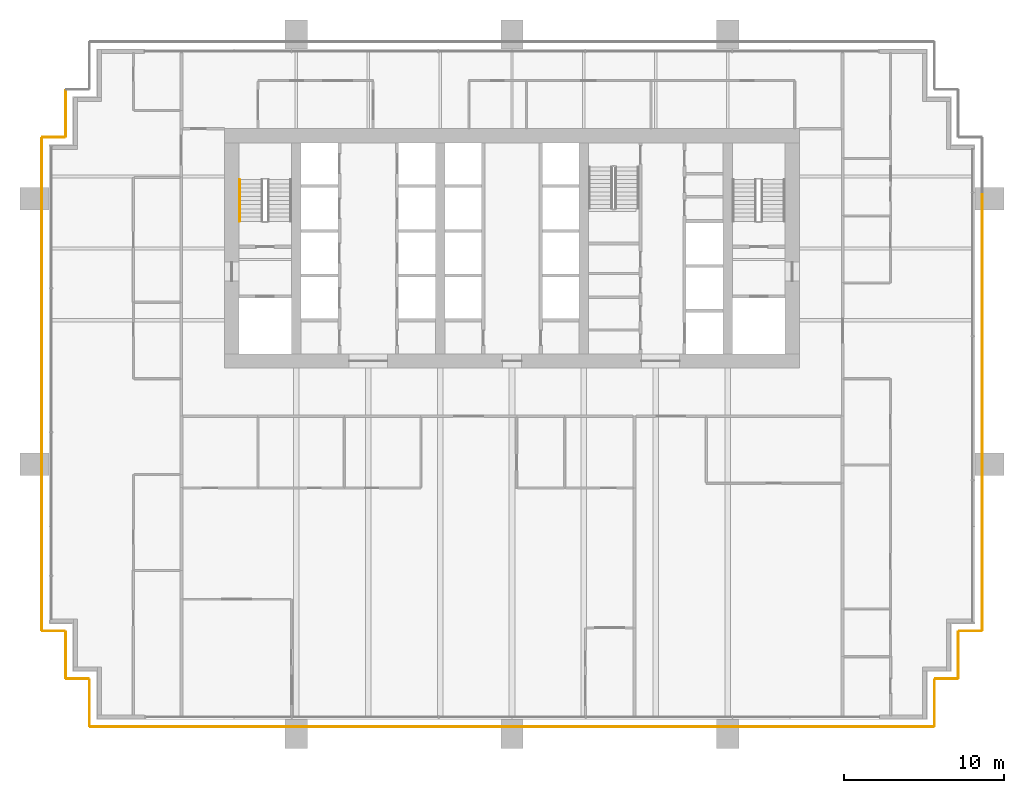
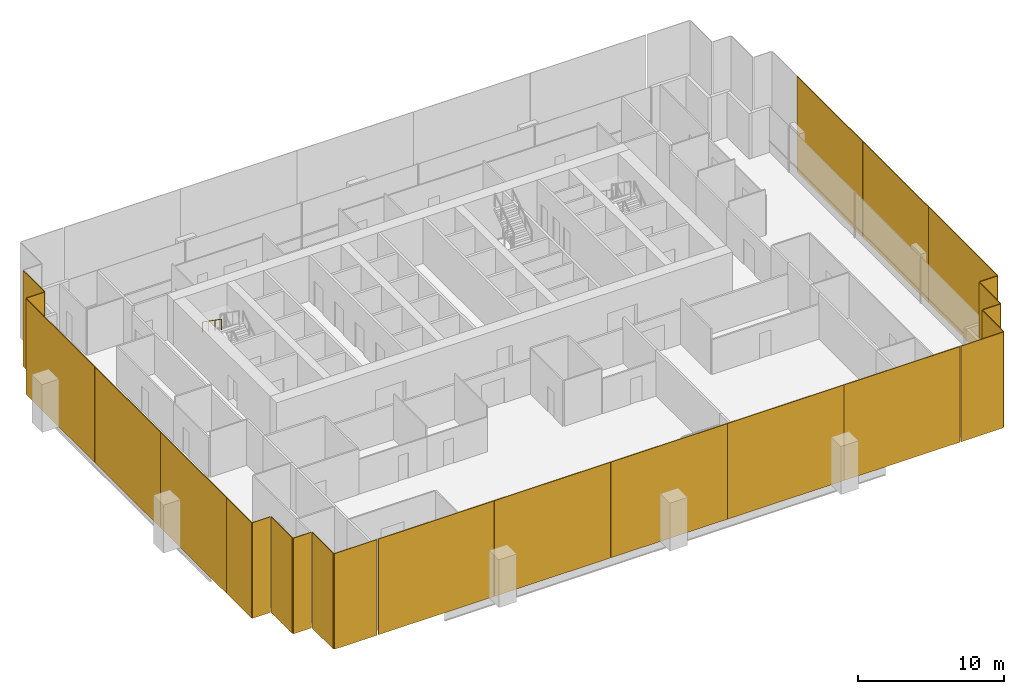
# One storey, part 15 of 17: 24 coverings, 1 railing.
"""IFC4 building model written with IfcOpenShell, lengths in metres."""

from ifc_helpers import new_model, si_unit, direction, frame, origin, origin_2d, place, context, subcontext, project, spatial, rectangle, extrude, material, layer, layer_set, type_object, element, save


model = new_model("IFC4")

# Units and contexts
model_context = context("Model", 3, precision=1e-05, world=origin(), true_north=direction((0.0, 1.0)))
body_context = subcontext(model_context, "Body", "Model", "MODEL_VIEW")
ifc_project = project(units=[si_unit("LENGTHUNIT", "METRE"), si_unit("AREAUNIT", "SQUARE_METRE"), si_unit("VOLUMEUNIT", "CUBIC_METRE"), si_unit("PLANEANGLEUNIT", "RADIAN"), si_unit("MASSUNIT", "GRAM", prefix="KILO")], contexts=[model_context])

# Site, building, storey
site_placement = place(None, origin())
site = spatial("IfcSite", under=ifc_project, at=site_placement, CompositionType="ELEMENT")
building_placement = place(site_placement, origin())
building = spatial("IfcBuilding", under=site, at=building_placement, Name="Rattan Terrace Tower", CompositionType="ELEMENT")
storey_placement = place(building_placement, frame((0.0, 0.0, 126.10009765625)))
storey = spatial("IfcBuildingStorey", under=building, at=storey_placement, Name="L28", CompositionType="ELEMENT", Elevation=126.10009765625)

# Railing
ifc_material_1 = material(Name="Powder-coated steel handrail", Category="steel")
railing_type = type_object("IfcRailingType", Name="Core stair handrail", PredefinedType="HANDRAIL", material=ifc_material_1)
railing_placement = place(storey_placement, frame((-17.050048828125, 4.300048828125, 2.181640625)))
element("IfcRailing", 1, at=railing_placement, inside=storey, type_object=railing_type, Name="L28 S1 stair handrail 2", PredefinedType="HANDRAIL", context=body_context, shape_type="SweptSolid", body=[
    extrude(rectangle(XDim=0.048095703125, YDim=0.048095703125, at=origin_2d()), frame((0.0, 0.0, 0.8759765625), z_axis=(0.0, -0.819484887739, 0.573100792852), x_axis=(1.0, 0.0, 0.0)), (0.0, 0.0, 1.0), 3.1728515625),
    extrude(rectangle(XDim=0.0419921875, YDim=0.0419921875, at=origin_2d()), origin(), (0.0, 0.0, 1.0), 0.851806640625),
    extrude(rectangle(XDim=0.0419921875, YDim=0.0419921875, at=origin_2d()), frame((0.0, -0.86669921875, 0.606201171875)), (0.0, 0.0, 1.0), 0.851806640625),
    extrude(rectangle(XDim=0.0419921875, YDim=0.0419921875, at=origin_2d()), frame((0.0, -1.7333984375, 1.212158203125)), (0.0, 0.0, 1.0), 0.851806640625),
    extrude(rectangle(XDim=0.0419921875, YDim=0.0419921875, at=origin_2d()), frame((0.0, -2.60009765625, 1.818359375)), (0.0, 0.0, 1.0), 0.851806640625),
])

# Coverings
ifc_material_2 = material(Name="Perforated terracotta", Category="masonry")
ifc_layer = layer(ifc_material_2, 0.06005859375)
ifc_layer_set = layer_set([ifc_layer], Name="Facade Terracotta Screen Panel")
covering_type = type_object("IfcCoveringType", Name="Facade Terracotta Screen Panel", PredefinedType="CLADDING", material=ifc_layer_set)
covering_1_placement = place(storey_placement, frame((24.72509765625, -29.949951171875, -0.190185546875), z_axis=(0.0, 0.0, 1.0), x_axis=(1.0, 0.0, 0.0)))
element("IfcCovering", 2, at=covering_1_placement, inside=storey, type_object=covering_type, Name="OUTER SKIN panel L28-1", PredefinedType="CLADDING", context=body_context, shape_type="SweptSolid", body=[
    extrude(rectangle(XDim=3.3701171875, YDim=0.06005859375, at=origin_2d()), origin(), (0.0, 0.0, 1.0), 7.97998046875),
])
covering_2_placement = place(storey_placement, frame((26.449951171875, -28.449951171875, -0.190185546875), z_axis=(0.0, 0.0, 1.0), x_axis=(0.0, 1.0, 0.0)))
element("IfcCovering", 3, at=covering_2_placement, inside=storey, type_object=covering_type, Name="OUTER SKIN panel L28-2", PredefinedType="CLADDING", context=body_context, shape_type="SweptSolid", body=[
    extrude(rectangle(XDim=2.919921875, YDim=0.06005859375, at=origin_2d()), origin(), (0.0, 0.0, 1.0), 7.97998046875),
])
covering_3_placement = place(storey_placement, frame((27.199951171875, -26.949951171875, -0.190185546875), z_axis=(0.0, 0.0, 1.0), x_axis=(1.0, 0.0, 0.0)))
element("IfcCovering", 4, at=covering_3_placement, inside=storey, type_object=covering_type, Name="OUTER SKIN panel L28-3", PredefinedType="CLADDING", context=body_context, shape_type="SweptSolid", body=[
    extrude(rectangle(XDim=1.419921875, YDim=0.06005859375, at=origin_2d()), origin(), (0.0, 0.0, 1.0), 7.97998046875),
])
covering_4_placement = place(storey_placement, frame((27.949951171875, -25.449951171875, -0.190185546875), z_axis=(0.0, 0.0, 1.0), x_axis=(0.0, 1.0, 0.0)))
element("IfcCovering", 5, at=covering_4_placement, inside=storey, type_object=covering_type, Name="OUTER SKIN panel L28-4", PredefinedType="CLADDING", context=body_context, shape_type="SweptSolid", body=[
    extrude(rectangle(XDim=2.919921875, YDim=0.06005859375, at=origin_2d()), origin(), (0.0, 0.0, 1.0), 7.97998046875),
])
covering_5_placement = place(storey_placement, frame((28.699951171875, -23.949951171875, -0.190185546875), z_axis=(0.0, 0.0, 1.0), x_axis=(1.0, 0.0, 0.0)))
element("IfcCovering", 6, at=covering_5_placement, inside=storey, type_object=covering_type, Name="OUTER SKIN panel L28-5", PredefinedType="CLADDING", context=body_context, shape_type="SweptSolid", body=[
    extrude(rectangle(XDim=1.419921875, YDim=0.06005859375, at=origin_2d()), origin(), (0.0, 0.0, 1.0), 7.97998046875),
])
covering_6_placement = place(storey_placement, frame((29.449951171875, -19.2099609375, -0.190185546875), z_axis=(0.0, 0.0, 1.0), x_axis=(0.0, 1.0, 0.0)))
element("IfcCovering", 7, at=covering_6_placement, inside=storey, type_object=covering_type, Name="OUTER SKIN panel L28-6", PredefinedType="CLADDING", context=body_context, shape_type="SweptSolid", body=[
    extrude(rectangle(XDim=9.39990234375, YDim=0.06005859375, at=origin_2d()), origin(), (0.0, 0.0, 1.0), 7.97998046875),
])
for number, where, z_axis, x_axis, name in (
    (8, (29.449951171875, -10.0, -0.190185546875), (0.0, 0.0, 1.0), (0.0, 1.0, 0.0), "OUTER SKIN panel L28-7"),
    (9, (29.449951171875, -1.0, -0.190185546875), (0.0, 0.0, 1.0), (0.0, 1.0, 0.0), "OUTER SKIN panel L28-8"),
):
    element("IfcCovering", number, at=place(storey_placement, frame(where, z_axis=z_axis, x_axis=x_axis)), inside=storey, type_object=covering_type, Name=name, PredefinedType="CLADDING", context=body_context, shape_type="SweptSolid", body=[
        extrude(rectangle(XDim=8.97998046875, YDim=0.06005859375, at=origin_2d()), origin(), (0.0, 0.0, 1.0), 7.97998046875),
    ])
covering_7_placement = place(storey_placement, frame((-27.949951171875, 8.449951171875, -0.190185546875), z_axis=(0.0, 0.0, 1.0), x_axis=(0.0, -1.0, 0.0)))
element("IfcCovering", 10, at=covering_7_placement, inside=storey, type_object=covering_type, Name="OUTER SKIN panel L28-23", PredefinedType="CLADDING", context=body_context, shape_type="SweptSolid", body=[
    extrude(rectangle(XDim=2.919921875, YDim=0.06005859375, at=origin_2d()), origin(), (0.0, 0.0, 1.0), 7.97998046875),
])
covering_8_placement = place(storey_placement, frame((-28.699951171875, 6.949951171875, -0.190185546875), z_axis=(0.0, 0.0, 1.0), x_axis=(-1.0, 0.0, 0.0)))
element("IfcCovering", 11, at=covering_8_placement, inside=storey, type_object=covering_type, Name="OUTER SKIN panel L28-24", PredefinedType="CLADDING", context=body_context, shape_type="SweptSolid", body=[
    extrude(rectangle(XDim=1.419921875, YDim=0.06005859375, at=origin_2d()), origin(), (0.0, 0.0, 1.0), 7.97998046875),
])
covering_9_placement = place(storey_placement, frame((-29.449951171875, 2.2099609375, -0.190185546875), z_axis=(0.0, 0.0, 1.0), x_axis=(0.0, -1.0, 0.0)))
element("IfcCovering", 12, at=covering_9_placement, inside=storey, type_object=covering_type, Name="OUTER SKIN panel L28-25", PredefinedType="CLADDING", context=body_context, shape_type="SweptSolid", body=[
    extrude(rectangle(XDim=9.39990234375, YDim=0.06005859375, at=origin_2d()), origin(), (0.0, 0.0, 1.0), 7.97998046875),
])
for number, where, z_axis, x_axis, name in (
    (13, (-29.449951171875, -7.0, -0.190185546875), (0.0, 0.0, 1.0), (0.0, -1.0, 0.0), "OUTER SKIN panel L28-26"),
    (14, (-29.449951171875, -16.0, -0.190185546875), (0.0, 0.0, 1.0), (0.0, -1.0, 0.0), "OUTER SKIN panel L28-27"),
):
    element("IfcCovering", number, at=place(storey_placement, frame(where, z_axis=z_axis, x_axis=x_axis)), inside=storey, type_object=covering_type, Name=name, PredefinedType="CLADDING", context=body_context, shape_type="SweptSolid", body=[
        extrude(rectangle(XDim=8.97998046875, YDim=0.06005859375, at=origin_2d()), origin(), (0.0, 0.0, 1.0), 7.97998046875),
    ])
covering_10_placement = place(storey_placement, frame((-29.449951171875, -22.2099609375, -0.190185546875), z_axis=(0.0, 0.0, 1.0), x_axis=(0.0, -1.0, 0.0)))
element("IfcCovering", 15, at=covering_10_placement, inside=storey, type_object=covering_type, Name="OUTER SKIN panel L28-28", PredefinedType="CLADDING", context=body_context, shape_type="SweptSolid", body=[
    extrude(rectangle(XDim=3.39990234375, YDim=0.06005859375, at=origin_2d()), origin(), (0.0, 0.0, 1.0), 7.97998046875),
])
covering_11_placement = place(storey_placement, frame((-28.699951171875, -23.949951171875, -0.190185546875), z_axis=(0.0, 0.0, 1.0), x_axis=(1.0, 0.0, 0.0)))
element("IfcCovering", 16, at=covering_11_placement, inside=storey, type_object=covering_type, Name="OUTER SKIN panel L28-29", PredefinedType="CLADDING", context=body_context, shape_type="SweptSolid", body=[
    extrude(rectangle(XDim=1.419921875, YDim=0.06005859375, at=origin_2d()), origin(), (0.0, 0.0, 1.0), 7.97998046875),
])
covering_12_placement = place(storey_placement, frame((-27.949951171875, -25.449951171875, -0.190185546875), z_axis=(0.0, 0.0, 1.0), x_axis=(0.0, -1.0, 0.0)))
element("IfcCovering", 17, at=covering_12_placement, inside=storey, type_object=covering_type, Name="OUTER SKIN panel L28-30", PredefinedType="CLADDING", context=body_context, shape_type="SweptSolid", body=[
    extrude(rectangle(XDim=2.919921875, YDim=0.06005859375, at=origin_2d()), origin(), (0.0, 0.0, 1.0), 7.97998046875),
])
covering_13_placement = place(storey_placement, frame((-27.199951171875, -26.949951171875, -0.190185546875), z_axis=(0.0, 0.0, 1.0), x_axis=(1.0, 0.0, 0.0)))
element("IfcCovering", 18, at=covering_13_placement, inside=storey, type_object=covering_type, Name="OUTER SKIN panel L28-31", PredefinedType="CLADDING", context=body_context, shape_type="SweptSolid", body=[
    extrude(rectangle(XDim=1.419921875, YDim=0.06005859375, at=origin_2d()), origin(), (0.0, 0.0, 1.0), 7.97998046875),
])
covering_14_placement = place(storey_placement, frame((-26.449951171875, -28.449951171875, -0.190185546875), z_axis=(0.0, 0.0, 1.0), x_axis=(0.0, -1.0, 0.0)))
element("IfcCovering", 19, at=covering_14_placement, inside=storey, type_object=covering_type, Name="OUTER SKIN panel L28-32", PredefinedType="CLADDING", context=body_context, shape_type="SweptSolid", body=[
    extrude(rectangle(XDim=2.919921875, YDim=0.06005859375, at=origin_2d()), origin(), (0.0, 0.0, 1.0), 7.97998046875),
])
covering_15_placement = place(storey_placement, frame((-24.72509765625, -29.949951171875, -0.190185546875), z_axis=(0.0, 0.0, 1.0), x_axis=(1.0, 0.0, 0.0)))
element("IfcCovering", 20, at=covering_15_placement, inside=storey, type_object=covering_type, Name="OUTER SKIN panel L28-33", PredefinedType="CLADDING", context=body_context, shape_type="SweptSolid", body=[
    extrude(rectangle(XDim=3.3701171875, YDim=0.06005859375, at=origin_2d()), origin(), (0.0, 0.0, 1.0), 7.97998046875),
])
covering_16_placement = place(storey_placement, frame((-18.384521484375, -29.949951171875, -0.190185546875), z_axis=(0.0, 0.0, 1.0), x_axis=(1.0, 0.0, 0.0)))
element("IfcCovering", 21, at=covering_16_placement, inside=storey, type_object=covering_type, Name="OUTER SKIN panel L28-34", PredefinedType="CLADDING", context=body_context, shape_type="SweptSolid", body=[
    extrude(rectangle(XDim=9.15087890625, YDim=0.06005859375, at=origin_2d()), origin(), (0.0, 0.0, 1.0), 7.97998046875),
])
for number, where, z_axis, x_axis, name in (
    (22, (-9.198486328125, -29.949951171875, -0.190185546875), (0.0, 0.0, 1.0), (1.0, 0.0, 0.0), "OUTER SKIN panel L28-35"),
    (23, (0.00244140625, -29.949951171875, -0.190185546875), (0.0, 0.0, 1.0), (1.0, 0.0, 0.0), "OUTER SKIN panel L28-36"),
    (24, (9.20361328125, -29.949951171875, -0.190185546875), (0.0, 0.0, 1.0), (1.0, 0.0, 0.0), "OUTER SKIN panel L28-37"),
):
    element("IfcCovering", number, at=place(storey_placement, frame(where, z_axis=z_axis, x_axis=x_axis)), inside=storey, type_object=covering_type, Name=name, PredefinedType="CLADDING", context=body_context, shape_type="SweptSolid", body=[
        extrude(rectangle(XDim=9.180908203125, YDim=0.06005859375, at=origin_2d()), origin(), (0.0, 0.0, 1.0), 7.97998046875),
    ])
covering_17_placement = place(storey_placement, frame((18.386962890625, -29.949951171875, -0.190185546875), z_axis=(0.0, 0.0, 1.0), x_axis=(1.0, 0.0, 0.0)))
element("IfcCovering", 25, at=covering_17_placement, inside=storey, type_object=covering_type, Name="OUTER SKIN panel L28-38", PredefinedType="CLADDING", context=body_context, shape_type="SweptSolid", body=[
    extrude(rectangle(XDim=9.14599609375, YDim=0.06005859375, at=origin_2d()), origin(), (0.0, 0.0, 1.0), 7.97998046875),
])

save(model, "model.ifc")
